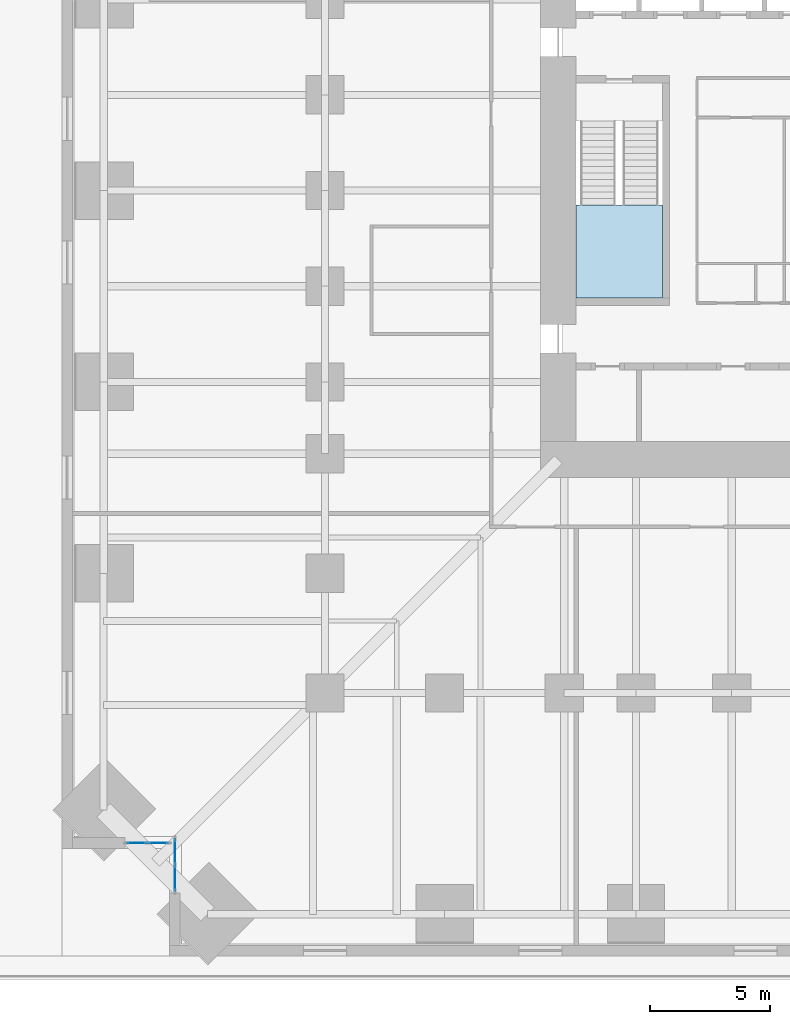
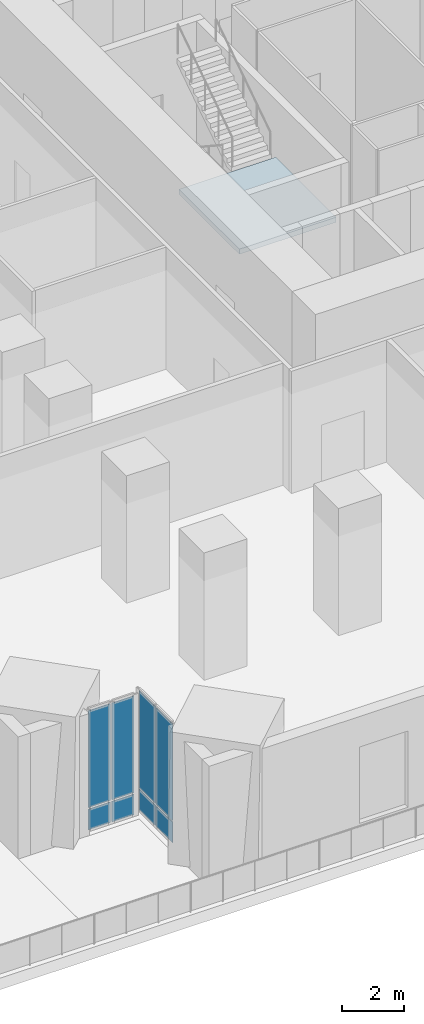
# One storey, part 13 of 26: 8 plates, 1 slab, 3 elements without a shape of their own.
"""IFC4 building model written with IfcOpenShell, lengths in metres."""

from ifc_helpers import new_model, si_unit, direction, frame, origin, origin_2d, place, context, subcontext, project, spatial, polyline, rectangle, outline, extrude, material, layer, layer_set, type_object, element, aggregate, save


model = new_model("IFC4")

# Units and contexts
model_context = context("Model", 3, precision=1e-05, world=origin(), true_north=direction((0.0, 1.0)))
body_context = subcontext(model_context, "Body", "Model", "MODEL_VIEW")
ifc_project = project(units=[si_unit("LENGTHUNIT", "METRE"), si_unit("AREAUNIT", "SQUARE_METRE"), si_unit("VOLUMEUNIT", "CUBIC_METRE"), si_unit("PLANEANGLEUNIT", "RADIAN"), si_unit("MASSUNIT", "GRAM", prefix="KILO")], contexts=[model_context])

# Site, building, storey
site_placement = place(None, origin())
site = spatial("IfcSite", under=ifc_project, at=site_placement, CompositionType="ELEMENT")
building_placement = place(site_placement, origin())
building = spatial("IfcBuilding", under=site, at=building_placement, Name="Peilmerk Tower", CompositionType="ELEMENT")
storey_placement = place(building_placement, frame((0.0, 0.0, 16.0)))
storey = spatial("IfcBuildingStorey", under=building, at=storey_placement, Name="L03", CompositionType="ELEMENT", Elevation=16.0)

# Curtain wall, plates
ifc_material_1 = material(Name="Aluminium stick curtain wall", Category="aluminium")
curtain_wall_type = type_object("IfcCurtainWallType", Name="CW1 stick curtain wall, 1500 module", PredefinedType="NOTDEFINED", material=ifc_material_1)
curtain_wall_1_placement = place(storey_placement, origin())
curtain_wall_1 = element("IfcCurtainWall", 1, at=curtain_wall_1_placement, inside=storey, type_object=curtain_wall_type, Name="Curtain wall CW1 SWA L03", PredefinedType="NOTDEFINED")
ifc_material_2 = material(Name="Clear insulated glazing unit", Category="glass")
ifc_layer_1 = layer(ifc_material_2, 0.028076171875)
ifc_layer_set_1 = layer_set([ifc_layer_1], Name="Clear insulated glazing unit")
plate_type = type_object("IfcPlateType", Name="CW1-P 28 glazed panel", PredefinedType="CURTAIN_PANEL", material=ifc_layer_set_1)
plate_1_placement = place(storey_placement, frame((-27.27490234375, -27.638427734375, 0.06494140625), z_axis=(0.0, 0.0, 1.0), x_axis=(0.0, -1.0, 0.0)))
plate_1 = element("IfcPlate", 2, at=plate_1_placement, type_object=plate_type, Name="CW1 panel 1.1", PredefinedType="CURTAIN_PANEL", context=body_context, shape_type="SweptSolid", body=[
    extrude(rectangle(XDim=1.046875, YDim=0.028076171875, at=origin_2d()), origin(), (0.0, 0.0, 1.0), 0.802490234375),
])
plate_2_placement = place(storey_placement, frame((-27.27490234375, -27.638427734375, 0.9326171875), z_axis=(0.0, 0.0, 1.0), x_axis=(0.0, -1.0, 0.0)))
plate_2 = element("IfcPlate", 3, at=plate_2_placement, type_object=plate_type, Name="CW1 panel 1.2", PredefinedType="CURTAIN_PANEL", context=body_context, shape_type="SweptSolid", body=[
    extrude(rectangle(XDim=1.046875, YDim=0.028076171875, at=origin_2d()), origin(), (0.0, 0.0, 1.0), 3.802490234375),
])
plate_3_placement = place(storey_placement, frame((-27.27490234375, -28.750244140625, 0.06494140625), z_axis=(0.0, 0.0, 1.0), x_axis=(0.0, -1.0, 0.0)))
plate_3 = element("IfcPlate", 4, at=plate_3_placement, type_object=plate_type, Name="CW1 panel 2.1", PredefinedType="CURTAIN_PANEL", context=body_context, shape_type="SweptSolid", body=[
    extrude(rectangle(XDim=1.046875, YDim=0.028076171875, at=origin_2d()), origin(), (0.0, 0.0, 1.0), 0.802490234375),
])
plate_4_placement = place(storey_placement, frame((-27.27490234375, -28.750244140625, 0.9326171875), z_axis=(0.0, 0.0, 1.0), x_axis=(0.0, -1.0, 0.0)))
plate_4 = element("IfcPlate", 5, at=plate_4_placement, type_object=plate_type, Name="CW1 panel 2.2", PredefinedType="CURTAIN_PANEL", context=body_context, shape_type="SweptSolid", body=[
    extrude(rectangle(XDim=1.046875, YDim=0.028076171875, at=origin_2d()), origin(), (0.0, 0.0, 1.0), 3.802490234375),
])
aggregate(curtain_wall_1, [plate_1, plate_2, plate_3, plate_4])

curtain_wall_2_placement = place(storey_placement, origin())
curtain_wall_2 = element("IfcCurtainWall", 6, at=curtain_wall_2_placement, inside=storey, type_object=curtain_wall_type, Name="Curtain wall CW1 SWB L03", PredefinedType="NOTDEFINED")
plate_5_placement = place(storey_placement, frame((-27.975830078125, -27.27490234375, 0.06494140625), z_axis=(0.0, 0.0, 1.0), x_axis=(-1.0, 0.0, 0.0)))
plate_5 = element("IfcPlate", 7, at=plate_5_placement, type_object=plate_type, Name="CW1 panel 1.1", PredefinedType="CURTAIN_PANEL", context=body_context, shape_type="SweptSolid", body=[
    extrude(rectangle(XDim=0.82177734375, YDim=0.028076171875, at=origin_2d()), origin(), (0.0, 0.0, 1.0), 0.802490234375),
])
plate_6_placement = place(storey_placement, frame((-27.975830078125, -27.27490234375, 0.9326171875), z_axis=(0.0, 0.0, 1.0), x_axis=(-1.0, 0.0, 0.0)))
plate_6 = element("IfcPlate", 8, at=plate_6_placement, type_object=plate_type, Name="CW1 panel 1.2", PredefinedType="CURTAIN_PANEL", context=body_context, shape_type="SweptSolid", body=[
    extrude(rectangle(XDim=0.82177734375, YDim=0.028076171875, at=origin_2d()), origin(), (0.0, 0.0, 1.0), 3.802490234375),
])
plate_7_placement = place(storey_placement, frame((-28.86279296875, -27.27490234375, 0.06494140625), z_axis=(0.0, 0.0, 1.0), x_axis=(-1.0, 0.0, 0.0)))
plate_7 = element("IfcPlate", 9, at=plate_7_placement, type_object=plate_type, Name="CW1 panel 2.1", PredefinedType="CURTAIN_PANEL", context=body_context, shape_type="SweptSolid", body=[
    extrude(rectangle(XDim=0.82177734375, YDim=0.028076171875, at=origin_2d()), origin(), (0.0, 0.0, 1.0), 0.802490234375),
])
plate_8_placement = place(storey_placement, frame((-28.86279296875, -27.27490234375, 0.9326171875), z_axis=(0.0, 0.0, 1.0), x_axis=(-1.0, 0.0, 0.0)))
plate_8 = element("IfcPlate", 10, at=plate_8_placement, type_object=plate_type, Name="CW1 panel 2.2", PredefinedType="CURTAIN_PANEL", context=body_context, shape_type="SweptSolid", body=[
    extrude(rectangle(XDim=0.82177734375, YDim=0.028076171875, at=origin_2d()), origin(), (0.0, 0.0, 1.0), 3.802490234375),
])
aggregate(curtain_wall_2, [plate_5, plate_6, plate_7, plate_8])

# Stair, slab
ifc_material_3 = material(Name="Precast concrete C45/55", Category="concrete")
stair_type = type_object("IfcStairType", Name="ST1 28 risers of 178.6", PredefinedType="HALF_TURN_STAIR", material=ifc_material_3)
stair_placement = place(storey_placement, origin())
stair = element("IfcStair", 11, at=stair_placement, inside=storey, type_object=stair_type, Name="Stair 1 L03 to L04", PredefinedType="HALF_TURN_STAIR")
ifc_material_4 = material(Name="Concrete C35/45", Category="concrete")
ifc_layer_2 = layer(ifc_material_4, 0.199951171875)
ifc_layer_set_2 = layer_set([ifc_layer_2], Name="Concrete C35/45")
slab_type = type_object("IfcSlabType", Name="SL1 200 concrete stair landing", PredefinedType="LANDING", material=ifc_layer_set_2)
slab_placement = place(storey_placement, frame((0.0, 0.0, 2.300048828125)))
slab = element("IfcSlab", 12, at=slab_placement, type_object=slab_type, Name="ST1 landing 1", PredefinedType="LANDING", context=body_context, shape_type="SweptSolid", body=[
    extrude(outline(polyline([(-10.5, -4.5), (-6.89990234375, -4.5), (-6.89990234375, -0.610107421875), (-10.5, -0.610107421875), (-10.5, -4.5)])), origin(), (0.0, 0.0, 1.0), 0.199951171875),
])
aggregate(stair, [slab])

save(model, "model.ifc")
